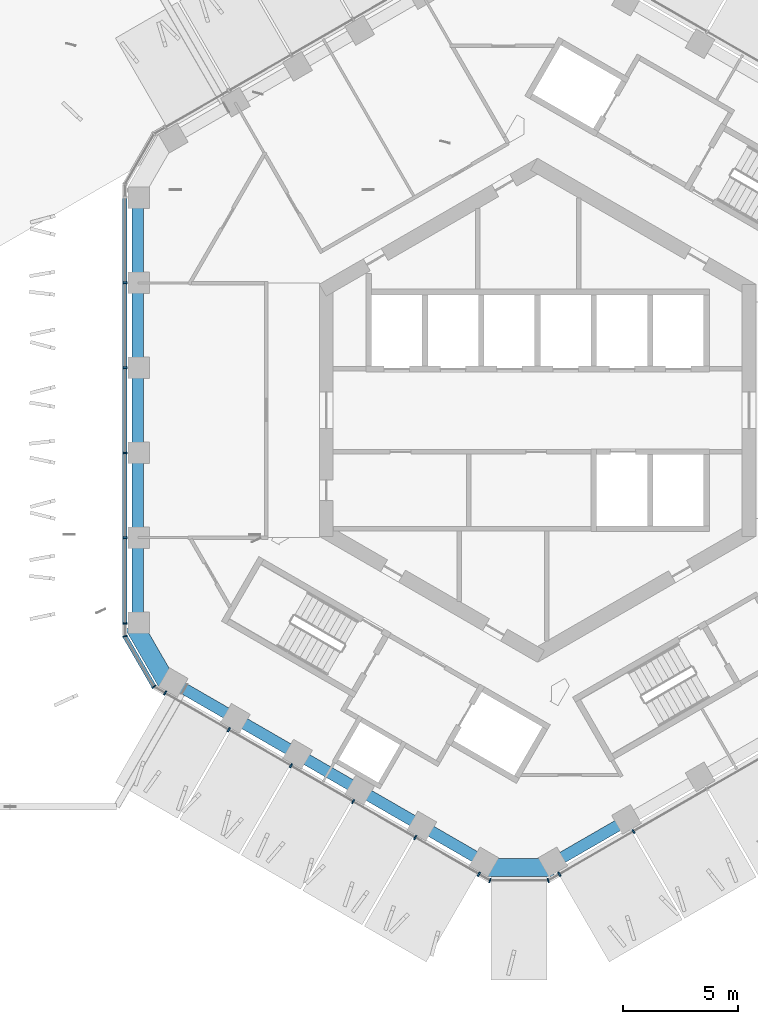
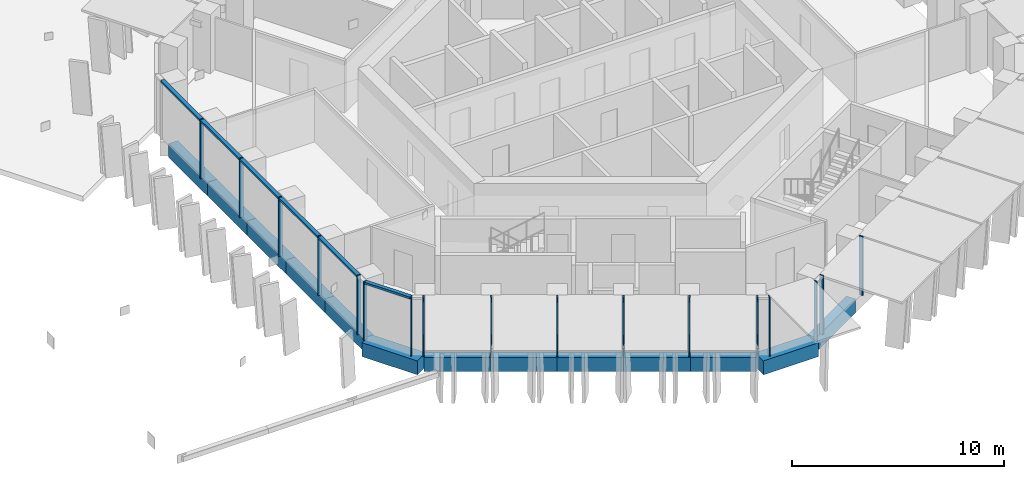
# One storey, part 2 of 23: 19 members, 13 beams, 5 elements without a shape of their own.
"""IFC4 building model written with IfcOpenShell, lengths in metres."""

from ifc_helpers import new_model, si_unit, direction, frame, origin, origin_2d, place, context, subcontext, project, spatial, rectangle, extrude, material, layer, layer_set, material_profile, profile_set, type_object, element, aggregate, save


model = new_model("IFC4")

# Units and contexts
model_context = context("Model", 3, precision=1e-05, world=origin(), true_north=direction((0.0, 1.0)))
body_context = subcontext(model_context, "Body", "Model", "MODEL_VIEW")
ifc_project = project(units=[si_unit("LENGTHUNIT", "METRE"), si_unit("AREAUNIT", "SQUARE_METRE"), si_unit("VOLUMEUNIT", "CUBIC_METRE"), si_unit("PLANEANGLEUNIT", "RADIAN"), si_unit("MASSUNIT", "GRAM", prefix="KILO")], contexts=[model_context])

# Site, building, storey
site_placement = place(None, origin())
site = spatial("IfcSite", under=ifc_project, at=site_placement, CompositionType="ELEMENT")
building_placement = place(site_placement, origin())
building = spatial("IfcBuilding", under=site, at=building_placement, Name="Ayvan Gate Tower", CompositionType="ELEMENT")
storey_placement = place(building_placement, frame((0.0, 0.0, 198.699951171875)))
storey = spatial("IfcBuildingStorey", under=building, at=storey_placement, Name="L53", CompositionType="ELEMENT", Elevation=198.699951171875)

# Beams
ifc_material_1 = material(Name="Concrete C40/50", Category="concrete")
ifc_material_profile_1 = material_profile(ifc_material_1, rectangle(XDim=0.800048828125, YDim=0.800048828125, at=origin_2d()), Name="RC 800x800")
ifc_profile_set_1 = profile_set([ifc_material_profile_1], Name="Concrete C40/50")
beam_type_1 = type_object("IfcBeamType", Name="Corner spandrel beam RC 800x800 C40/50", PredefinedType="BEAM", material=ifc_profile_set_1)
for number, where, z_axis, x_axis, name in (
    (1, (-17.587158203125, -9.333984375, -0.75), (0.499990139034, -0.866031096941, 0.0), (0.866031096941, 0.499990139034, 0.0), "SB-L53-24"),
    (2, (-2.289794921875, -19.89794921875, -0.75), (1.0, 0.0, 0.0), (0.0, 1.0, 0.0), "SB-L53-30"),
):
    element("IfcBeam", number, at=place(storey_placement, frame(where, z_axis=z_axis, x_axis=x_axis)), inside=storey, type_object=beam_type_1, Name=name, PredefinedType="BEAM", context=body_context, shape_type="SweptSolid", body=[
        extrude(rectangle(XDim=0.800048828125, YDim=0.800048828125, at=origin_2d()), origin(), (0.0, 0.0, 1.0), 3.0),
    ])
ifc_material_profile_2 = material_profile(ifc_material_1, rectangle(XDim=0.5, YDim=0.800048828125, at=origin_2d()), Name="RC 500x800")
ifc_profile_set_2 = profile_set([ifc_material_profile_2], Name="Concrete C40/50")
beam_type_2 = type_object("IfcBeamType", Name="Spandrel beam RC 500x800 C40/50", PredefinedType="BEAM", material=ifc_profile_set_2)
beam_1_placement = place(storey_placement, frame((-17.396728515625, 9.223876953125, -0.75), z_axis=(0.0, -1.0, 0.0), x_axis=(1.0, 0.0, 0.0)))
element("IfcBeam", 3, at=beam_1_placement, inside=storey, type_object=beam_type_2, Name="SB-L53-19", PredefinedType="BEAM", context=body_context, shape_type="SweptSolid", body=[
    extrude(rectangle(XDim=0.5, YDim=0.800048828125, at=origin_2d()), origin(), (0.0, 0.0, 1.0), 3.689453125),
])
beam_2_placement = place(storey_placement, frame((-17.396728515625, 5.534423828125, -0.75), z_axis=(0.0, -1.0, 0.0), x_axis=(1.0, 0.0, 0.0)))
element("IfcBeam", 4, at=beam_2_placement, inside=storey, type_object=beam_type_2, Name="SB-L53-20", PredefinedType="BEAM", context=body_context, shape_type="SweptSolid", body=[
    extrude(rectangle(XDim=0.5, YDim=0.800048828125, at=origin_2d()), origin(), (0.0, 0.0, 1.0), 3.689697265625),
])
beam_3_placement = place(storey_placement, frame((-17.396728515625, 1.8447265625, -0.75), z_axis=(0.0, -1.0, 0.0), x_axis=(1.0, 0.0, 0.0)))
element("IfcBeam", 5, at=beam_3_placement, inside=storey, type_object=beam_type_2, Name="SB-L53-21", PredefinedType="BEAM", context=body_context, shape_type="SweptSolid", body=[
    extrude(rectangle(XDim=0.5, YDim=0.800048828125, at=origin_2d()), origin(), (0.0, 0.0, 1.0), 3.689453125),
])
beam_4_placement = place(storey_placement, frame((-17.396728515625, -1.8447265625, -0.75), z_axis=(0.0, -1.0, 0.0), x_axis=(1.0, 0.0, 0.0)))
element("IfcBeam", 6, at=beam_4_placement, inside=storey, type_object=beam_type_2, Name="SB-L53-22", PredefinedType="BEAM", context=body_context, shape_type="SweptSolid", body=[
    extrude(rectangle(XDim=0.5, YDim=0.800048828125, at=origin_2d()), origin(), (0.0, 0.0, 1.0), 3.689697265625),
])
beam_5_placement = place(storey_placement, frame((-17.396728515625, -5.534423828125, -0.75), z_axis=(0.0, -1.0, 0.0), x_axis=(1.0, 0.0, 0.0)))
element("IfcBeam", 7, at=beam_5_placement, inside=storey, type_object=beam_type_2, Name="SB-L53-23", PredefinedType="BEAM", context=body_context, shape_type="SweptSolid", body=[
    extrude(rectangle(XDim=0.5, YDim=0.800048828125, at=origin_2d()), origin(), (0.0, 0.0, 1.0), 3.689453125),
])
beam_6_placement = place(storey_placement, frame((-15.896728515625, -11.822021484375, -0.75), z_axis=(0.866016100244, -0.500016113858, 0.0), x_axis=(0.500016113858, 0.866016100244, 0.0)))
element("IfcBeam", 8, at=beam_6_placement, inside=storey, type_object=beam_type_2, Name="SB-L53-25", PredefinedType="BEAM", context=body_context, shape_type="SweptSolid", body=[
    extrude(rectangle(XDim=0.5, YDim=0.800048828125, at=origin_2d()), origin(), (0.0, 0.0, 1.0), 3.142578125),
])
for number, where, z_axis, x_axis, name in (
    (9, (-13.17529296875, -13.393310546875, -0.75), (0.866049741291, -0.499957843833, 0.0), (0.499957843833, 0.866049741291, 0.0), "SB-L53-26"),
    (10, (-10.453857421875, -14.96435546875, -0.75), (0.865996674405, -0.500049757444, 0.0), (0.500049757444, 0.865996674405, 0.0), "SB-L53-27"),
    (11, (-7.732666015625, -16.53564453125, -0.75), (0.866049741291, -0.499957843833, 0.0), (0.499957843833, 0.866049741291, 0.0), "SB-L53-28"),
):
    element("IfcBeam", number, at=place(storey_placement, frame(where, z_axis=z_axis, x_axis=x_axis)), inside=storey, type_object=beam_type_2, Name=name, PredefinedType="BEAM", context=body_context, shape_type="SweptSolid", body=[
        extrude(rectangle(XDim=0.5, YDim=0.800048828125, at=origin_2d()), origin(), (0.0, 0.0, 1.0), 3.142333984375),
    ])
beam_7_placement = place(storey_placement, frame((-5.01123046875, -18.106689453125, -0.75), z_axis=(0.866016100244, -0.500016113858, 0.0), x_axis=(0.500016113858, 0.866016100244, 0.0)))
element("IfcBeam", 12, at=beam_7_placement, inside=storey, type_object=beam_type_2, Name="SB-L53-29", PredefinedType="BEAM", context=body_context, shape_type="SweptSolid", body=[
    extrude(rectangle(XDim=0.5, YDim=0.800048828125, at=origin_2d()), origin(), (0.0, 0.0, 1.0), 3.142578125),
])
beam_8_placement = place(storey_placement, frame((0.710205078125, -19.677978515625, -0.75), z_axis=(0.866035727774, 0.499982117899, 0.0), x_axis=(-0.499982117899, 0.866035727774, 0.0)))
element("IfcBeam", 13, at=beam_8_placement, inside=storey, type_object=beam_type_2, Name="SB-L53-31", PredefinedType="BEAM", context=body_context, shape_type="SweptSolid", body=[
    extrude(rectangle(XDim=0.5, YDim=0.800048828125, at=origin_2d()), origin(), (0.0, 0.0, 1.0), 3.689697265625),
])

# Curtain wall, members
ifc_material_2 = material(Name="Bronze anodised aluminium", Category="aluminium")
ifc_layer_1 = layer(ifc_material_2, 0.199951171875)
ifc_layer_set_1 = layer_set([ifc_layer_1], Name="Bronze anodised aluminium")
curtain_wall_type_1 = type_object("IfcCurtainWallType", Name="Stick curtain wall CW-2", PredefinedType="NOTDEFINED", material=ifc_layer_set_1)
curtain_wall_1_placement = place(storey_placement, origin())
curtain_wall_1 = element("IfcCurtainWall", 14, at=curtain_wall_1_placement, inside=storey, type_object=curtain_wall_type_1, Name="Stick curtain wall CW-2 L53", PredefinedType="NOTDEFINED")
ifc_material_profile_3 = material_profile(ifc_material_2, rectangle(XDim=0.199951171875, YDim=0.070068359375, at=origin_2d()), Name="Stick curtain wall CW-2 mullion 200 x 70")
ifc_profile_set_3 = profile_set([ifc_material_profile_3], Name="Bronze anodised aluminium")
member_type_1 = type_object("IfcMemberType", Name="Stick curtain wall CW-2 mullion 200 x 70", PredefinedType="MULLION", material=ifc_profile_set_3)
member_1_placement = place(storey_placement, frame((-17.95849609375, 5.54931640625, 0.0), z_axis=(0.0, 0.0, 1.0), x_axis=(-1.0, 0.0, 0.0)))
member_1 = element("IfcMember", 15, at=member_1_placement, type_object=member_type_1, Name="CW-2 mullion 2", PredefinedType="MULLION", context=body_context, shape_type="SweptSolid", body=[
    extrude(rectangle(XDim=0.199951171875, YDim=0.070068359375, at=origin_2d()), origin(), (0.0, 0.0, 1.0), 3.400146484375),
])
member_2_placement = place(storey_placement, frame((-17.95849609375, 1.850341796875, 0.0), z_axis=(0.0, 0.0, 1.0), x_axis=(-1.0, 0.0, 0.0)))
member_2 = element("IfcMember", 16, at=member_2_placement, type_object=member_type_1, Name="CW-2 mullion 3", PredefinedType="MULLION", context=body_context, shape_type="SweptSolid", body=[
    extrude(rectangle(XDim=0.199951171875, YDim=0.070068359375, at=origin_2d()), origin(), (0.0, 0.0, 1.0), 3.400146484375),
])
member_3_placement = place(storey_placement, frame((-17.95849609375, -1.849853515625, 0.0), z_axis=(0.0, 0.0, 1.0), x_axis=(-1.0, 0.0, 0.0)))
member_3 = element("IfcMember", 17, at=member_3_placement, type_object=member_type_1, Name="CW-2 mullion 4", PredefinedType="MULLION", context=body_context, shape_type="SweptSolid", body=[
    extrude(rectangle(XDim=0.199951171875, YDim=0.070068359375, at=origin_2d()), origin(), (0.0, 0.0, 1.0), 3.400146484375),
])
member_4_placement = place(storey_placement, frame((-17.95849609375, -5.548828125, 0.0), z_axis=(0.0, 0.0, 1.0), x_axis=(-1.0, 0.0, 0.0)))
member_4 = element("IfcMember", 18, at=member_4_placement, type_object=member_type_1, Name="CW-2 mullion 5", PredefinedType="MULLION", context=body_context, shape_type="SweptSolid", body=[
    extrude(rectangle(XDim=0.199951171875, YDim=0.070068359375, at=origin_2d()), origin(), (0.0, 0.0, 1.0), 3.400146484375),
])
member_5_placement = place(storey_placement, frame((-17.95849609375, -9.272216796875, 0.0), z_axis=(0.0, 0.0, 1.0), x_axis=(-1.0, 0.0, 0.0)))
member_5 = element("IfcMember", 19, at=member_5_placement, type_object=member_type_1, Name="CW-2 mullion 6", PredefinedType="MULLION", context=body_context, shape_type="SweptSolid", body=[
    extrude(rectangle(XDim=0.199951171875, YDim=0.070068359375, at=origin_2d()), origin(), (0.0, 0.0, 1.0), 3.400146484375),
])

curtain_wall_2_placement = place(storey_placement, origin())
curtain_wall_2 = element("IfcCurtainWall", 20, at=curtain_wall_2_placement, inside=storey, type_object=curtain_wall_type_1, Name="Stick curtain wall CW-2 L53", PredefinedType="NOTDEFINED")
member_6_placement = place(storey_placement, frame((-16.206298828125, -12.30712890625, 0.0), z_axis=(0.0, 0.0, 1.0), x_axis=(-0.5, -0.866025403784, 0.0)))
member_6 = element("IfcMember", 21, at=member_6_placement, type_object=member_type_1, Name="CW-2 mullion 1", PredefinedType="MULLION", context=body_context, shape_type="SweptSolid", body=[
    extrude(rectangle(XDim=0.199951171875, YDim=0.070068359375, at=origin_2d()), origin(), (0.0, 0.0, 1.0), 3.400146484375),
])
member_7_placement = place(storey_placement, frame((-13.436767578125, -13.90625, 0.0), z_axis=(0.0, 0.0, 1.0), x_axis=(-0.5, -0.866025403784, 0.0)))
member_7 = element("IfcMember", 22, at=member_7_placement, type_object=member_type_1, Name="CW-2 mullion 2", PredefinedType="MULLION", context=body_context, shape_type="SweptSolid", body=[
    extrude(rectangle(XDim=0.199951171875, YDim=0.070068359375, at=origin_2d()), origin(), (0.0, 0.0, 1.0), 3.400146484375),
])
member_8_placement = place(storey_placement, frame((-10.733154296875, -15.46728515625, 0.0), z_axis=(0.0, 0.0, 1.0), x_axis=(-0.5, -0.866025403784, 0.0)))
member_8 = element("IfcMember", 23, at=member_8_placement, type_object=member_type_1, Name="CW-2 mullion 3", PredefinedType="MULLION", context=body_context, shape_type="SweptSolid", body=[
    extrude(rectangle(XDim=0.199951171875, YDim=0.070068359375, at=origin_2d()), origin(), (0.0, 0.0, 1.0), 3.400146484375),
])
member_9_placement = place(storey_placement, frame((-8.028564453125, -17.02880859375, 0.0), z_axis=(0.0, 0.0, 1.0), x_axis=(-0.5, -0.866025403784, 0.0)))
member_9 = element("IfcMember", 24, at=member_9_placement, type_object=member_type_1, Name="CW-2 mullion 4", PredefinedType="MULLION", context=body_context, shape_type="SweptSolid", body=[
    extrude(rectangle(XDim=0.199951171875, YDim=0.070068359375, at=origin_2d()), origin(), (0.0, 0.0, 1.0), 3.400146484375),
])
member_10_placement = place(storey_placement, frame((-5.32470703125, -18.589599609375, 0.0), z_axis=(0.0, 0.0, 1.0), x_axis=(-0.5, -0.866025403784, 0.0)))
member_10 = element("IfcMember", 25, at=member_10_placement, type_object=member_type_1, Name="CW-2 mullion 5", PredefinedType="MULLION", context=body_context, shape_type="SweptSolid", body=[
    extrude(rectangle(XDim=0.199951171875, YDim=0.070068359375, at=origin_2d()), origin(), (0.0, 0.0, 1.0), 3.400146484375),
])
member_11_placement = place(storey_placement, frame((-2.55517578125, -20.188720703125, 0.0), z_axis=(0.0, 0.0, 1.0), x_axis=(-0.5, -0.866025403784, 0.0)))
member_11 = element("IfcMember", 26, at=member_11_placement, type_object=member_type_1, Name="CW-2 mullion 6", PredefinedType="MULLION", context=body_context, shape_type="SweptSolid", body=[
    extrude(rectangle(XDim=0.199951171875, YDim=0.070068359375, at=origin_2d()), origin(), (0.0, 0.0, 1.0), 3.400146484375),
])
aggregate(curtain_wall_2, [member_6, member_7, member_8, member_9, member_10, member_11])

curtain_wall_3_placement = place(storey_placement, origin())
curtain_wall_3 = element("IfcCurtainWall", 27, at=curtain_wall_3_placement, inside=storey, type_object=curtain_wall_type_1, Name="Stick curtain wall CW-2 L53", PredefinedType="NOTDEFINED")
member_12_placement = place(storey_placement, frame((0.94921875, -20.188720703125, 0.0), z_axis=(0.0, 0.0, 1.0), x_axis=(0.5, -0.866025403784, 0.0)))
member_12 = element("IfcMember", 28, at=member_12_placement, type_object=member_type_1, Name="CW-2 mullion 1", PredefinedType="MULLION", context=body_context, shape_type="SweptSolid", body=[
    extrude(rectangle(XDim=0.199951171875, YDim=0.070068359375, at=origin_2d()), origin(), (0.0, 0.0, 1.0), 3.400146484375),
])
member_13_placement = place(storey_placement, frame((4.173583984375, -18.3271484375, 0.0), z_axis=(0.0, 0.0, 1.0), x_axis=(0.5, -0.866025403784, 0.0)))
member_13 = element("IfcMember", 29, at=member_13_placement, type_object=member_type_1, Name="CW-2 mullion 2", PredefinedType="MULLION", context=body_context, shape_type="SweptSolid", body=[
    extrude(rectangle(XDim=0.199951171875, YDim=0.070068359375, at=origin_2d()), origin(), (0.0, 0.0, 1.0), 3.400146484375),
])
aggregate(curtain_wall_3, [member_12, member_13])

# Member
ifc_material_profile_4 = material_profile(ifc_material_2, rectangle(XDim=0.199951171875, YDim=0.1201171875, at=origin_2d()), Name="Stick curtain wall CW-2 transom 200 x 120")
ifc_profile_set_4 = profile_set([ifc_material_profile_4], Name="Bronze anodised aluminium")
member_type_2 = type_object("IfcMemberType", Name="Stick curtain wall CW-2 transom 200 x 120", PredefinedType="USERDEFINED", material=ifc_profile_set_4)
member_14_placement = place(storey_placement, frame((-17.95849609375, 9.272216796875, 3.340087890625), z_axis=(0.0, -1.0, 0.0), x_axis=(1.0, 0.0, 0.0)))
member_14 = element("IfcMember", 30, at=member_14_placement, type_object=member_type_2, Name="CW-2 transom 1", ObjectType="TRANSOM", PredefinedType="USERDEFINED", context=body_context, shape_type="SweptSolid", body=[
    extrude(rectangle(XDim=0.199951171875, YDim=0.1201171875, at=origin_2d()), origin(), (0.0, 0.0, 1.0), 18.54443359375),
])

aggregate(curtain_wall_1, [member_1, member_2, member_3, member_4, member_5, member_14])

# Curtain wall, members
ifc_layer_2 = layer(ifc_material_2, 0.199951171875)
ifc_layer_set_2 = layer_set([ifc_layer_2], Name="Bronze anodised aluminium")
curtain_wall_type_2 = type_object("IfcCurtainWallType", Name="Stick curtain wall CW-6", PredefinedType="NOTDEFINED", material=ifc_layer_set_2)
curtain_wall_4_placement = place(storey_placement, origin())
curtain_wall_4 = element("IfcCurtainWall", 31, at=curtain_wall_4_placement, inside=storey, type_object=curtain_wall_type_2, Name="Stick curtain wall CW-6 L53", PredefinedType="NOTDEFINED")
ifc_material_profile_5 = material_profile(ifc_material_2, rectangle(XDim=0.199951171875, YDim=0.050048828125, at=origin_2d()), Name="Stick curtain wall CW-6 mullion 200 x 50")
ifc_profile_set_5 = profile_set([ifc_material_profile_5], Name="Bronze anodised aluminium")
member_type_3 = type_object("IfcMemberType", Name="Stick curtain wall CW-6 mullion 200 x 50", PredefinedType="MULLION", material=ifc_profile_set_5)
member_15_placement = place(storey_placement, frame((-17.95849609375, -9.832275390625, 0.0), z_axis=(0.0, 0.0, 1.0), x_axis=(-0.965925826289, -0.258819045103, 0.0)))
member_15 = element("IfcMember", 32, at=member_15_placement, type_object=member_type_3, Name="CW-6 mullion 2", PredefinedType="MULLION", context=body_context, shape_type="SweptSolid", body=[
    extrude(rectangle(XDim=0.199951171875, YDim=0.050048828125, at=origin_2d()), origin(), (0.0, 0.0, 1.0), 3.400146484375),
])
member_16_placement = place(storey_placement, frame((-16.69140625, -12.027099609375, 0.0), z_axis=(0.0, 0.0, 1.0), x_axis=(-0.707106781187, -0.707106781187, 0.0)))
member_16 = element("IfcMember", 33, at=member_16_placement, type_object=member_type_3, Name="CW-6 mullion 3", PredefinedType="MULLION", context=body_context, shape_type="SweptSolid", body=[
    extrude(rectangle(XDim=0.199951171875, YDim=0.050048828125, at=origin_2d()), origin(), (0.0, 0.0, 1.0), 3.400146484375),
])

curtain_wall_5_placement = place(storey_placement, origin())
curtain_wall_5 = element("IfcCurtainWall", 34, at=curtain_wall_5_placement, inside=storey, type_object=curtain_wall_type_2, Name="Stick curtain wall CW-6 L53", PredefinedType="NOTDEFINED")
member_17_placement = place(storey_placement, frame((-2.0703125, -20.46875, 0.0), z_axis=(0.0, 0.0, 1.0), x_axis=(-0.258819045103, -0.965925826289, 0.0)))
member_17 = element("IfcMember", 35, at=member_17_placement, type_object=member_type_3, Name="CW-6 mullion 2", PredefinedType="MULLION", context=body_context, shape_type="SweptSolid", body=[
    extrude(rectangle(XDim=0.199951171875, YDim=0.050048828125, at=origin_2d()), origin(), (0.0, 0.0, 1.0), 3.400146484375),
])
member_18_placement = place(storey_placement, frame((0.46435546875, -20.46875, 0.0), z_axis=(0.0, 0.0, 1.0), x_axis=(0.258819045103, -0.965925826289, 0.0)))
member_18 = element("IfcMember", 36, at=member_18_placement, type_object=member_type_3, Name="CW-6 mullion 3", PredefinedType="MULLION", context=body_context, shape_type="SweptSolid", body=[
    extrude(rectangle(XDim=0.199951171875, YDim=0.050048828125, at=origin_2d()), origin(), (0.0, 0.0, 1.0), 3.400146484375),
])
aggregate(curtain_wall_5, [member_17, member_18])

# Member
ifc_material_profile_6 = material_profile(ifc_material_2, rectangle(XDim=0.199951171875, YDim=0.1201171875, at=origin_2d()), Name="Stick curtain wall CW-6 transom 200 x 120")
ifc_profile_set_6 = profile_set([ifc_material_profile_6], Name="Bronze anodised aluminium")
member_type_4 = type_object("IfcMemberType", Name="Stick curtain wall CW-6 transom 200 x 120", PredefinedType="USERDEFINED", material=ifc_profile_set_6)
member_19_placement = place(storey_placement, frame((-17.946044921875, -9.853759765625, 3.340087890625), z_axis=(0.499943602543, -0.866057962423, 0.0), x_axis=(0.866057962423, 0.499943602543, 0.0)))
member_19 = element("IfcMember", 37, at=member_19_placement, type_object=member_type_4, Name="CW-6 transom 2", ObjectType="TRANSOM", PredefinedType="USERDEFINED", context=body_context, shape_type="SweptSolid", body=[
    extrude(rectangle(XDim=0.199951171875, YDim=0.1201171875, at=origin_2d()), origin(), (0.0, 0.0, 1.0), 2.484619140625),
])

aggregate(curtain_wall_4, [member_15, member_16, member_19])

save(model, "model.ifc")
